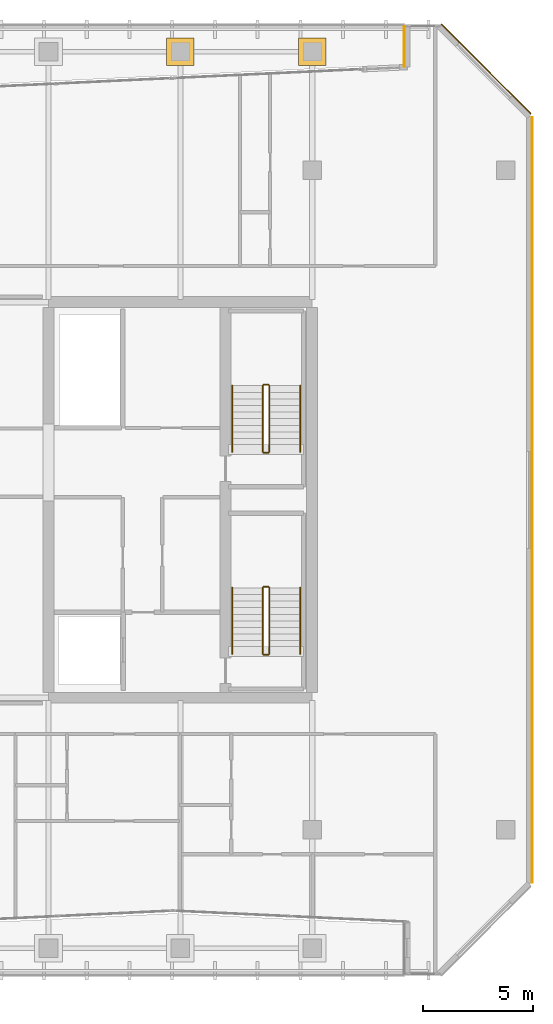
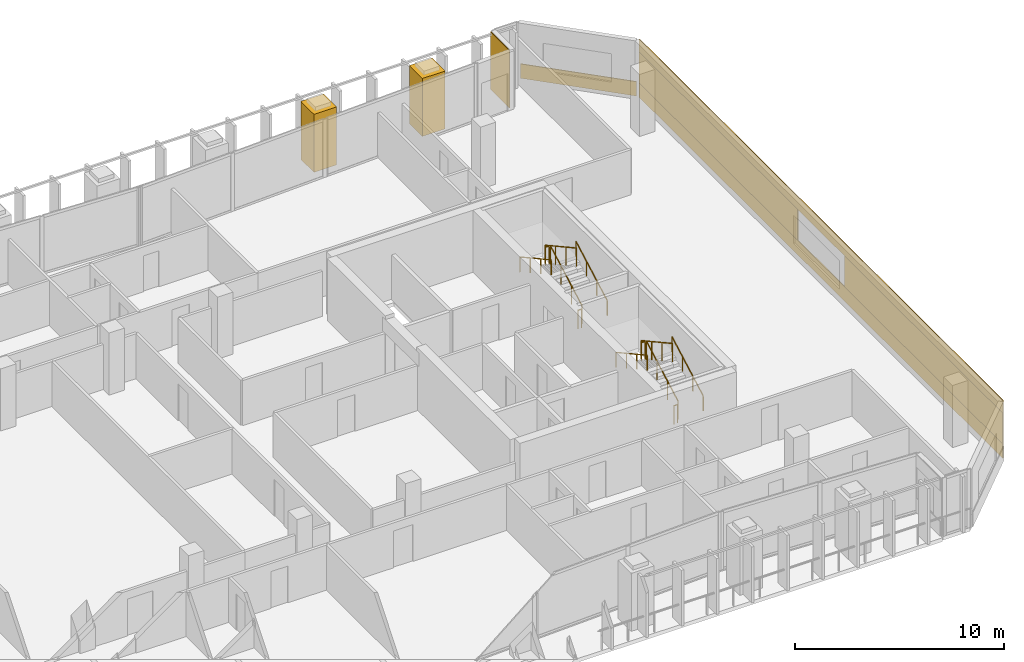
# One storey, part 28 of 28: 12 railings, 8 coverings.
"""IFC4 building model written with IfcOpenShell, lengths in metres."""

from ifc_helpers import new_model, si_unit, direction, frame, origin, origin_2d, place, context, subcontext, project, spatial, rectangle, extrude, material, layer, layer_set, type_object, element, save


model = new_model("IFC4")

# Units and contexts
model_context = context("Model", 3, precision=1e-05, world=origin(), true_north=direction((0.0, 1.0)))
body_context = subcontext(model_context, "Body", "Model", "MODEL_VIEW")
ifc_project = project(units=[si_unit("LENGTHUNIT", "METRE"), si_unit("AREAUNIT", "SQUARE_METRE"), si_unit("VOLUMEUNIT", "CUBIC_METRE"), si_unit("PLANEANGLEUNIT", "RADIAN"), si_unit("MASSUNIT", "GRAM", prefix="KILO")], contexts=[model_context])

# Site, building, storey
site_placement = place(None, origin())
site = spatial("IfcSite", under=ifc_project, at=site_placement, CompositionType="ELEMENT")
building_placement = place(site_placement, origin())
building = spatial("IfcBuilding", under=site, at=building_placement, Name="Tanjung Sevakor Pilgrim Tower", CompositionType="ELEMENT")
storey_placement = place(building_placement, frame((0.0, 0.0, 158.39990234375)))
storey = spatial("IfcBuildingStorey", under=building, at=storey_placement, Name="L44", CompositionType="ELEMENT", Elevation=158.39990234375)

# Coverings
ifc_material_1 = material(Name="Reconstructed Limestone Cladding", Category="masonry")
ifc_layer = layer(ifc_material_1, 0.044921875)
ifc_layer_set = layer_set([ifc_layer], Name="COV-CLAD-LIMESTONE")
covering_type = type_object("IfcCoveringType", Name="COV-CLAD-LIMESTONE", PredefinedType="CLADDING", material=ifc_layer_set)
covering_1_placement = place(storey_placement, frame((100.0224609375, 33.60009765625, 0.01025390625), z_axis=(0.0, 0.0, 1.0), x_axis=(0.0, 1.0, 0.0)))
element("IfcCovering", 1, at=covering_1_placement, inside=storey, type_object=covering_type, Name="L44 Warm Limestone Sill Spandrel EW-L44-MAIN-17-1", PredefinedType="CLADDING", context=body_context, shape_type="SweptSolid", body=[
    extrude(rectangle(XDim=34.81640625, YDim=0.044921875, at=origin_2d()), origin(), (0.0, 0.0, 1.0), 0.840087890625),
])
covering_2_placement = place(storey_placement, frame((100.0224609375, 33.60009765625, 2.66015625), z_axis=(0.0, 0.0, 1.0), x_axis=(0.0, 1.0, 0.0)))
element("IfcCovering", 2, at=covering_2_placement, inside=storey, type_object=covering_type, Name="L44 Warm Limestone Cornice Spandrel EW-L44-MAIN-17", PredefinedType="CLADDING", context=body_context, shape_type="SweptSolid", body=[
    extrude(rectangle(XDim=34.8564453125, YDim=0.044921875, at=origin_2d()), origin(), (0.0, 0.0, 1.0), 0.739990234375),
])
for number, where, z_axis, x_axis, name in (
    (3, (100.0224609375, 23.77099609375, 0.85009765625), (0.0, 0.0, 1.0), (0.0, 1.0, 0.0), "L44 Warm Limestone Pier Panel EW-L44-MAIN-17-1"),
    (4, (100.0224609375, 43.42919921875, 0.85009765625), (0.0, 0.0, 1.0), (0.0, 1.0, 0.0), "L44 Warm Limestone Pier Panel EW-L44-MAIN-17-2"),
):
    element("IfcCovering", number, at=place(storey_placement, frame(where, z_axis=z_axis, x_axis=x_axis)), inside=storey, type_object=covering_type, Name=name, PredefinedType="CLADDING", context=body_context, shape_type="SweptSolid", body=[
        extrude(rectangle(XDim=15.158203125, YDim=0.044921875, at=origin_2d()), origin(), (0.0, 0.0, 1.0), 1.81005859375),
    ])
covering_3_placement = place(storey_placement, frame((97.916015625, 53.2158203125, 0.01025390625), z_axis=(0.0, 0.0, 1.0), x_axis=(-0.707106781187, 0.707106781187, 0.0)))
element("IfcCovering", 5, at=covering_3_placement, inside=storey, type_object=covering_type, Name="L44 Warm Limestone Sill Spandrel EW-CHM-L44-MAIN-17-1", PredefinedType="CLADDING", context=body_context, shape_type="SweptSolid", body=[
    extrude(rectangle(XDim=5.756103515625, YDim=0.044921875, at=origin_2d()), origin(), (0.0, 0.0, 1.0), 0.840087890625),
])
covering_4_placement = place(storey_placement, frame((94.177490234375, 54.23779296875, 0.02001953125), z_axis=(0.0, 0.0, 1.0), x_axis=(0.0, -1.0, 0.0)))
element("IfcCovering", 6, at=covering_4_placement, inside=storey, type_object=covering_type, Name="L44 Warm Limestone Wall Cladding EW-L44-MAIN-20", PredefinedType="CLADDING", context=body_context, shape_type="SweptSolid", body=[
    extrude(rectangle(XDim=1.834228515625, YDim=0.044921875, at=origin_2d()), origin(), (0.0, 0.0, 1.0), 3.3701171875),
])
for number, where, z_axis, x_axis, name in (
    (7, (84.0, 54.0, 0.01025390625), (0.0, 0.0, 1.0), (1.0, 0.0, 0.0), "L44 Colonnade Pier Limestone Casing 40"),
    (8, (90.0, 54.0, 0.01025390625), (0.0, 0.0, 1.0), (1.0, 0.0, 0.0), "L44 Colonnade Pier Limestone Casing 42"),
):
    element("IfcCovering", number, at=place(storey_placement, frame(where, z_axis=z_axis, x_axis=x_axis)), inside=storey, type_object=covering_type, Name=name, PredefinedType="CLADDING", context=body_context, shape_type="SweptSolid", body=[
        extrude(rectangle(XDim=1.260009765625, YDim=1.260009765625, at=origin_2d()), origin(), (0.0, 0.0, 1.0), 3.389892578125),
    ])

# Railings
ifc_material_2 = material(Name="Steel S355J2", Category="steel")
railing_type_1 = type_object("IfcRailingType", Name="RL-STAIR-GUARD", PredefinedType="GUARDRAIL", material=ifc_material_2)
railing_1_placement = place(storey_placement, frame((88.050048828125, 26.60009765625, 0.1650390625)))
element("IfcRailing", 9, at=railing_1_placement, inside=storey, type_object=railing_type_1, Name="L44 TS-E1 stair guard 1", PredefinedType="GUARDRAIL", context=body_context, shape_type="SweptSolid", body=[
    extrude(rectangle(XDim=0.0479, YDim=0.0479), frame((0.0, 0.0, 1.076171875), z_axis=(0.0, 0.876197842262, 0.481951596342), x_axis=(-1.0, 0.0, 0.0)), (0.0, 0.0, 1.0), 3.423828125),
    extrude(rectangle(XDim=0.042, YDim=0.042), origin(), (0.0, 0.0, 1.0), 1.052001953125),
    extrude(rectangle(XDim=0.042, YDim=0.042), frame((0.0, 1.0, 0.550048828125)), (0.0, 0.0, 1.0), 1.052001953125),
    extrude(rectangle(XDim=0.042, YDim=0.042), frame((0.0, 2.0, 1.10009765625)), (0.0, 0.0, 1.0), 1.052001953125),
    extrude(rectangle(XDim=0.042, YDim=0.042), frame((0.0, 3.0, 1.650146484375)), (0.0, 0.0, 1.0), 1.052001953125),
])
railing_2_placement = place(storey_placement, frame((88.0, 29.64990234375, 1.815185546875)))
element("IfcRailing", 10, at=railing_2_placement, inside=storey, type_object=railing_type_1, Name="L44 TS-E1 stair guard 2", PredefinedType="GUARDRAIL", context=body_context, shape_type="SweptSolid", body=[
    extrude(rectangle(XDim=0.0479, YDim=0.0479), frame((0.0, 0.0, 1.076171875), z_axis=(-1.0, 0.0, 0.0), x_axis=(0.0, -1.0, 0.0)), (0.0, 0.0, 1.0), 0.199951171875),
    extrude(rectangle(XDim=0.042, YDim=0.042), origin(), (0.0, 0.0, 1.0), 1.052001953125),
    extrude(rectangle(XDim=0.042, YDim=0.042), frame((-0.199951171875, 0.0, 0.0)), (0.0, 0.0, 1.0), 1.052001953125),
])
railing_3_placement = place(storey_placement, frame((87.75, 29.60009765625, 1.97998046875)))
element("IfcRailing", 11, at=railing_3_placement, inside=storey, type_object=railing_type_1, Name="L44 TS-E1 stair guard 3", PredefinedType="GUARDRAIL", context=body_context, shape_type="SweptSolid", body=[
    extrude(rectangle(XDim=0.0479, YDim=0.0479), frame((0.0, 0.0, 1.076171875), z_axis=(0.0, -0.876197842262, 0.481951596342), x_axis=(1.0, 0.0, 0.0)), (0.0, 0.0, 1.0), 3.423828125),
    extrude(rectangle(XDim=0.042, YDim=0.042), origin(), (0.0, 0.0, 1.0), 1.052001953125),
    extrude(rectangle(XDim=0.042, YDim=0.042), frame((0.0, -1.0, 0.550048828125)), (0.0, 0.0, 1.0), 1.052001953125),
    extrude(rectangle(XDim=0.042, YDim=0.042), frame((0.0, -2.0, 1.10009765625)), (0.0, 0.0, 1.0), 1.052001953125),
    extrude(rectangle(XDim=0.042, YDim=0.042), frame((0.0, -3.0, 1.650146484375)), (0.0, 0.0, 1.0), 1.052001953125),
])
railing_4_placement = place(storey_placement, frame((88.0, 26.550048828125, 0.0)))
element("IfcRailing", 12, at=railing_4_placement, inside=storey, type_object=railing_type_1, Name="L44 TS-E1 stair guard 4", PredefinedType="GUARDRAIL", context=body_context, shape_type="SweptSolid", body=[
    extrude(rectangle(XDim=0.0479, YDim=0.0479), frame((0.0, 0.0, 1.076171875), z_axis=(-1.0, 0.0, 0.0), x_axis=(0.0, -1.0, 0.0)), (0.0, 0.0, 1.0), 0.199951171875),
    extrude(rectangle(XDim=0.042, YDim=0.042), origin(), (0.0, 0.0, 1.0), 1.052001953125),
    extrude(rectangle(XDim=0.042, YDim=0.042), frame((-0.199951171875, 0.0, 0.0)), (0.0, 0.0, 1.0), 1.052001953125),
])
railing_5_placement = place(storey_placement, frame((88.050048828125, 35.800048828125, 0.1650390625)))
element("IfcRailing", 13, at=railing_5_placement, inside=storey, type_object=railing_type_1, Name="L44 TS-E2 stair guard 1", PredefinedType="GUARDRAIL", context=body_context, shape_type="SweptSolid", body=[
    extrude(rectangle(XDim=0.0479, YDim=0.0479), frame((0.0, 0.0, 1.076171875), z_axis=(0.0, 0.876197842262, 0.481951596342), x_axis=(-1.0, 0.0, 0.0)), (0.0, 0.0, 1.0), 3.423828125),
    extrude(rectangle(XDim=0.042, YDim=0.042), origin(), (0.0, 0.0, 1.0), 1.052001953125),
    extrude(rectangle(XDim=0.042, YDim=0.042), frame((0.0, 1.0, 0.550048828125)), (0.0, 0.0, 1.0), 1.052001953125),
    extrude(rectangle(XDim=0.042, YDim=0.042), frame((0.0, 2.0, 1.10009765625)), (0.0, 0.0, 1.0), 1.052001953125),
    extrude(rectangle(XDim=0.042, YDim=0.042), frame((0.0, 3.0, 1.650146484375)), (0.0, 0.0, 1.0), 1.052001953125),
])
railing_6_placement = place(storey_placement, frame((88.0, 38.85009765625, 1.815185546875)))
element("IfcRailing", 14, at=railing_6_placement, inside=storey, type_object=railing_type_1, Name="L44 TS-E2 stair guard 2", PredefinedType="GUARDRAIL", context=body_context, shape_type="SweptSolid", body=[
    extrude(rectangle(XDim=0.0479, YDim=0.0479), frame((0.0, 0.0, 1.076171875), z_axis=(-1.0, 0.0, 0.0), x_axis=(0.0, -1.0, 0.0)), (0.0, 0.0, 1.0), 0.199951171875),
    extrude(rectangle(XDim=0.042, YDim=0.042), origin(), (0.0, 0.0, 1.0), 1.052001953125),
    extrude(rectangle(XDim=0.042, YDim=0.042), frame((-0.199951171875, 0.0, 0.0)), (0.0, 0.0, 1.0), 1.052001953125),
])
railing_7_placement = place(storey_placement, frame((87.75, 38.800048828125, 1.97998046875)))
element("IfcRailing", 15, at=railing_7_placement, inside=storey, type_object=railing_type_1, Name="L44 TS-E2 stair guard 3", PredefinedType="GUARDRAIL", context=body_context, shape_type="SweptSolid", body=[
    extrude(rectangle(XDim=0.0479, YDim=0.0479), frame((0.0, 0.0, 1.076171875), z_axis=(0.0, -0.876197842262, 0.481951596342), x_axis=(1.0, 0.0, 0.0)), (0.0, 0.0, 1.0), 3.423828125),
    extrude(rectangle(XDim=0.042, YDim=0.042), origin(), (0.0, 0.0, 1.0), 1.052001953125),
    extrude(rectangle(XDim=0.042, YDim=0.042), frame((0.0, -1.0, 0.550048828125)), (0.0, 0.0, 1.0), 1.052001953125),
    extrude(rectangle(XDim=0.042, YDim=0.042), frame((0.0, -2.0, 1.10009765625)), (0.0, 0.0, 1.0), 1.052001953125),
    extrude(rectangle(XDim=0.042, YDim=0.042), frame((0.0, -3.0, 1.650146484375)), (0.0, 0.0, 1.0), 1.052001953125),
])
railing_8_placement = place(storey_placement, frame((88.0, 35.75, 0.0)))
element("IfcRailing", 16, at=railing_8_placement, inside=storey, type_object=railing_type_1, Name="L44 TS-E2 stair guard 4", PredefinedType="GUARDRAIL", context=body_context, shape_type="SweptSolid", body=[
    extrude(rectangle(XDim=0.0479, YDim=0.0479), frame((0.0, 0.0, 1.076171875), z_axis=(-1.0, 0.0, 0.0), x_axis=(0.0, -1.0, 0.0)), (0.0, 0.0, 1.0), 0.199951171875),
    extrude(rectangle(XDim=0.042, YDim=0.042), origin(), (0.0, 0.0, 1.0), 1.052001953125),
    extrude(rectangle(XDim=0.042, YDim=0.042), frame((-0.199951171875, 0.0, 0.0)), (0.0, 0.0, 1.0), 1.052001953125),
])
ifc_material_3 = material(Name="Steel S355J2", Category="steel")
railing_type_2 = type_object("IfcRailingType", Name="RL-STAIR-HAND", PredefinedType="HANDRAIL", material=ifc_material_3)
railing_9_placement = place(storey_placement, frame((89.449951171875, 26.60009765625, 0.1650390625)))
element("IfcRailing", 17, at=railing_9_placement, inside=storey, type_object=railing_type_2, Name="L44 TS-E1 stair handrail 1", PredefinedType="HANDRAIL", context=body_context, shape_type="SweptSolid", body=[
    extrude(rectangle(XDim=0.0479, YDim=0.0479), frame((0.0, 0.0, 0.8759765625), z_axis=(0.0, 0.876197842262, 0.481951596342), x_axis=(-1.0, 0.0, 0.0)), (0.0, 0.0, 1.0), 3.423828125),
    extrude(rectangle(XDim=0.042, YDim=0.042), origin(), (0.0, 0.0, 1.0), 0.851806640625),
    extrude(rectangle(XDim=0.042, YDim=0.042), frame((0.0, 1.0, 0.550048828125)), (0.0, 0.0, 1.0), 0.851806640625),
    extrude(rectangle(XDim=0.042, YDim=0.042), frame((0.0, 2.0, 1.10009765625)), (0.0, 0.0, 1.0), 0.851806640625),
    extrude(rectangle(XDim=0.042, YDim=0.042), frame((0.0, 3.0, 1.650146484375)), (0.0, 0.0, 1.0), 0.851806640625),
])
railing_10_placement = place(storey_placement, frame((86.35009765625, 29.60009765625, 1.97998046875)))
element("IfcRailing", 18, at=railing_10_placement, inside=storey, type_object=railing_type_2, Name="L44 TS-E1 stair handrail 2", PredefinedType="HANDRAIL", context=body_context, shape_type="SweptSolid", body=[
    extrude(rectangle(XDim=0.0479, YDim=0.0479), frame((0.0, 0.0, 0.8759765625), z_axis=(0.0, -0.876197842262, 0.481951596342), x_axis=(1.0, 0.0, 0.0)), (0.0, 0.0, 1.0), 3.423828125),
    extrude(rectangle(XDim=0.042, YDim=0.042), origin(), (0.0, 0.0, 1.0), 0.851806640625),
    extrude(rectangle(XDim=0.042, YDim=0.042), frame((0.0, -1.0, 0.550048828125)), (0.0, 0.0, 1.0), 0.851806640625),
    extrude(rectangle(XDim=0.042, YDim=0.042), frame((0.0, -2.0, 1.10009765625)), (0.0, 0.0, 1.0), 0.851806640625),
    extrude(rectangle(XDim=0.042, YDim=0.042), frame((0.0, -3.0, 1.650146484375)), (0.0, 0.0, 1.0), 0.851806640625),
])
railing_11_placement = place(storey_placement, frame((89.449951171875, 35.800048828125, 0.1650390625)))
element("IfcRailing", 19, at=railing_11_placement, inside=storey, type_object=railing_type_2, Name="L44 TS-E2 stair handrail 1", PredefinedType="HANDRAIL", context=body_context, shape_type="SweptSolid", body=[
    extrude(rectangle(XDim=0.0479, YDim=0.0479), frame((0.0, 0.0, 0.8759765625), z_axis=(0.0, 0.876197842262, 0.481951596342), x_axis=(-1.0, 0.0, 0.0)), (0.0, 0.0, 1.0), 3.423828125),
    extrude(rectangle(XDim=0.042, YDim=0.042), origin(), (0.0, 0.0, 1.0), 0.851806640625),
    extrude(rectangle(XDim=0.042, YDim=0.042), frame((0.0, 1.0, 0.550048828125)), (0.0, 0.0, 1.0), 0.851806640625),
    extrude(rectangle(XDim=0.042, YDim=0.042), frame((0.0, 2.0, 1.10009765625)), (0.0, 0.0, 1.0), 0.851806640625),
    extrude(rectangle(XDim=0.042, YDim=0.042), frame((0.0, 3.0, 1.650146484375)), (0.0, 0.0, 1.0), 0.851806640625),
])
railing_12_placement = place(storey_placement, frame((86.35009765625, 38.800048828125, 1.97998046875)))
element("IfcRailing", 20, at=railing_12_placement, inside=storey, type_object=railing_type_2, Name="L44 TS-E2 stair handrail 2", PredefinedType="HANDRAIL", context=body_context, shape_type="SweptSolid", body=[
    extrude(rectangle(XDim=0.0479, YDim=0.0479), frame((0.0, 0.0, 0.8759765625), z_axis=(0.0, -0.876197842262, 0.481951596342), x_axis=(1.0, 0.0, 0.0)), (0.0, 0.0, 1.0), 3.423828125),
    extrude(rectangle(XDim=0.042, YDim=0.042), origin(), (0.0, 0.0, 1.0), 0.851806640625),
    extrude(rectangle(XDim=0.042, YDim=0.042), frame((0.0, -1.0, 0.550048828125)), (0.0, 0.0, 1.0), 0.851806640625),
    extrude(rectangle(XDim=0.042, YDim=0.042), frame((0.0, -2.0, 1.10009765625)), (0.0, 0.0, 1.0), 0.851806640625),
    extrude(rectangle(XDim=0.042, YDim=0.042), frame((0.0, -3.0, 1.650146484375)), (0.0, 0.0, 1.0), 0.851806640625),
])

save(model, "model.ifc")
